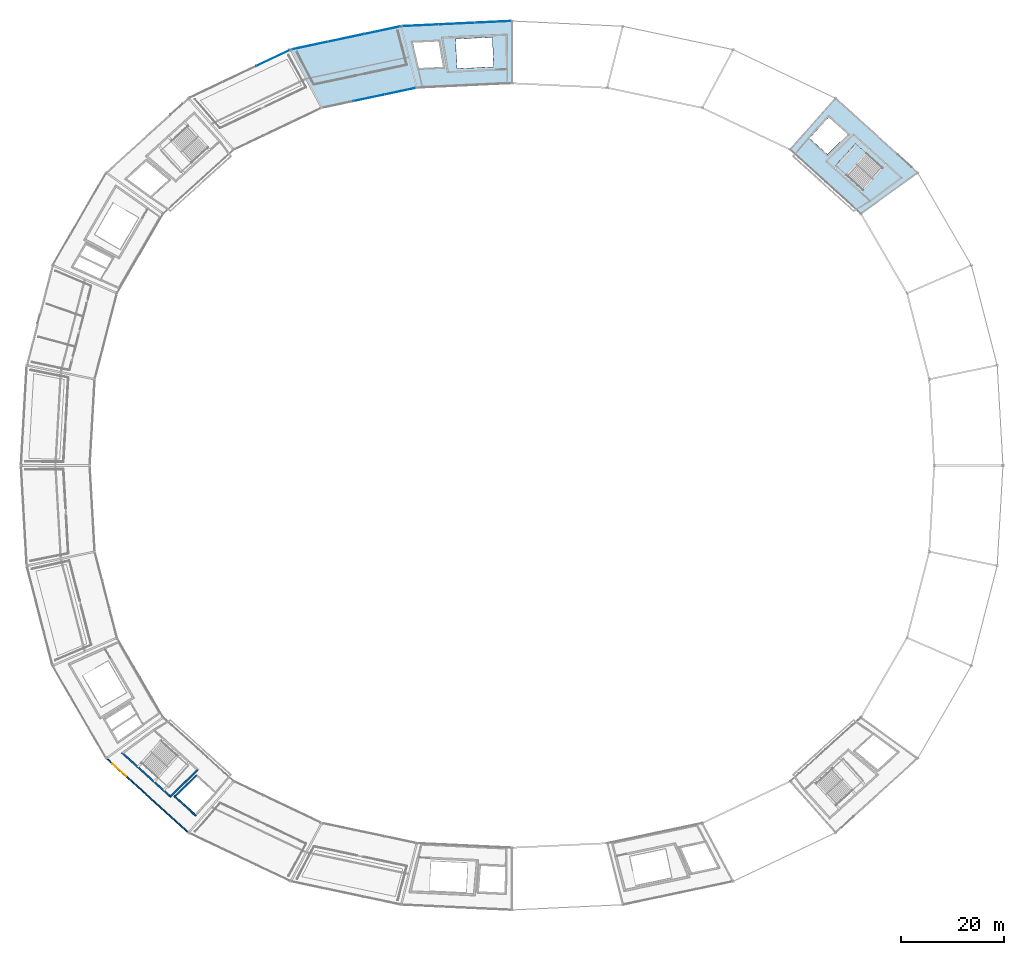
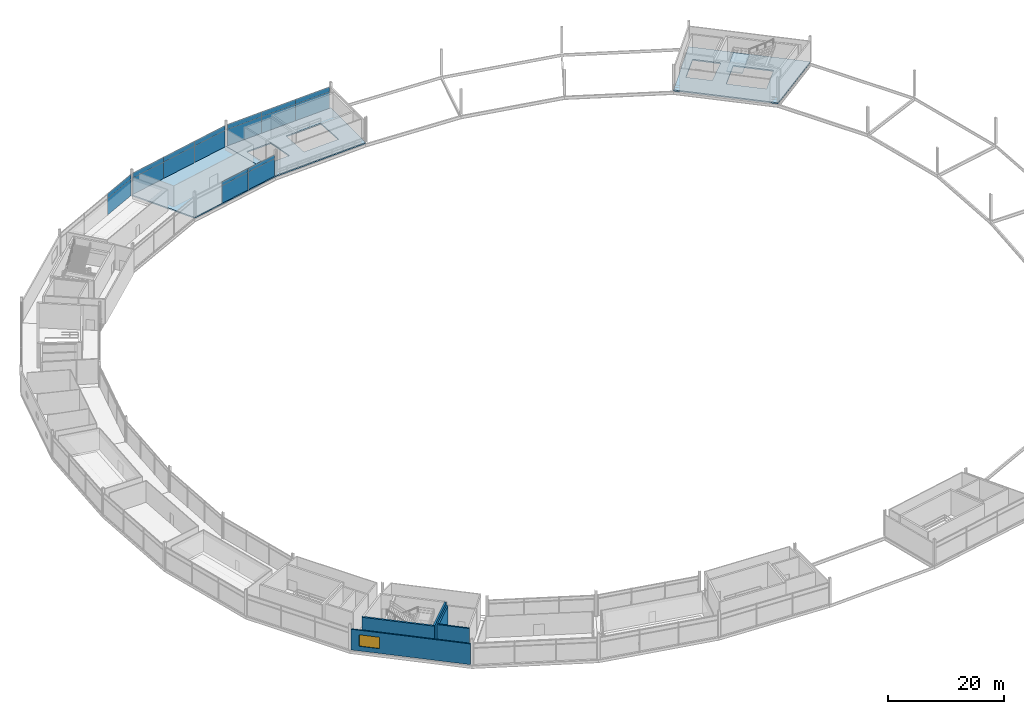
# One storey, part 66 of 86: 18 plates, 5 walls, 4 slabs, 1 window, 1 opening, 5 elements without a shape of their own.
"""IFC4 building model written with IfcOpenShell, lengths in metres."""

import ifcopenshell
import ifcopenshell.guid

model = None  # the IFC model being written
_history = None  # IfcOwnerHistory: only IFC2X3 demands one
_inside = {}  # id of a spatial element -> (the spatial element, [elements in it])
_under = {}  # id of a project, library or spatial element -> (it, [spatial elements below it])
_declared = {}  # id of a project -> (the project, [libraries it declares])
_typed = {}  # id of a type object -> (the type object, [elements of that type])
_made_of = {}  # id of a material, layer set ... -> (it, [elements and type objects made of it])


def new_model(schema):
    """Start an empty IFC model of exactly this schema.

    Asked for "IFC4X3", IfcOpenShell would pick the latest addendum, in which some entities
    have other attributes; the version numbers below select the first issue.
    IFC2X3 requires an IfcOwnerHistory on every rooted entity: one is made here for all.
    """
    global model, _history
    if schema == "IFC4X3":
        model = ifcopenshell.file(schema_version=(4, 3, 0, 0))
    else:
        model = ifcopenshell.file(schema=schema)
    _inside.clear()
    _under.clear()
    _declared.clear()
    _typed.clear()
    _made_of.clear()
    _history = None
    if model.schema == "IFC2X3":
        org = make("IfcOrganization", Name="unknown")
        user = make(
            "IfcPersonAndOrganization",
            ThePerson=make("IfcPerson", FamilyName="unknown"),
            TheOrganization=org,
        )
        app = make(
            "IfcApplication",
            ApplicationDeveloper=org,
            Version="unknown",
            ApplicationFullName="unknown",
            ApplicationIdentifier="unknown",
        )
        _history = make(
            "IfcOwnerHistory",
            OwningUser=user,
            OwningApplication=app,
            ChangeAction="ADDED",
            CreationDate=0,
        )
    return model


def make(cls, **values):
    """One entity of the class cls with the attributes given. An attribute that is None is left unset."""
    return model.create_entity(
        cls, **{name: value for name, value in values.items() if value is not None}
    )


def rooted(cls, **values):
    """An entity with a GlobalId (a new one), such as an element, a storey or a relation."""
    return make(cls, GlobalId=ifcopenshell.guid.new(), OwnerHistory=_history, **values)


def si_unit(unit_type, name, prefix=None):
    """IfcSIUnit, for example si_unit("LENGTHUNIT", "METRE", prefix="MILLI")."""
    return make("IfcSIUnit", UnitType=unit_type, Prefix=prefix, Name=name)


def assignment(units):
    """IfcUnitAssignment: the units of a project."""
    return None if units is None else make("IfcUnitAssignment", Units=units)


def point(xyz):
    """IfcCartesianPoint."""
    return None if xyz is None else make("IfcCartesianPoint", Coordinates=xyz)


def direction(xyz):
    """IfcDirection."""
    return None if xyz is None else make("IfcDirection", DirectionRatios=xyz)


def frame(location, z_axis=None, x_axis=None):
    """IfcAxis2Placement3D, a coordinate frame: its origin and axes. An axis left out is left unset."""
    return make(
        "IfcAxis2Placement3D",
        Location=point(location),
        Axis=direction(z_axis),
        RefDirection=direction(x_axis),
    )


def frame_2d(location, x_axis=None):
    """IfcAxis2Placement2D, a coordinate frame in the plane: its origin and x axis."""
    return make(
        "IfcAxis2Placement2D", Location=point(location), RefDirection=direction(x_axis)
    )


def origin():
    """The frame at (0, 0, 0) with its axes left unset."""
    return frame((0.0, 0.0, 0.0))


def origin_2d():
    """The frame at (0, 0) in the plane with its x axis left unset."""
    return frame_2d((0.0, 0.0))


def place(relative_to, where):
    """IfcLocalPlacement: puts the frame where relative to a parent placement (None: the world)."""
    return make(
        "IfcLocalPlacement", PlacementRelTo=relative_to, RelativePlacement=where
    )


def context(
    kind, dimensions, precision=None, world=None, true_north=None, identifier=None
):
    """IfcGeometricRepresentationContext, for example the 3D "Model" context."""
    return make(
        "IfcGeometricRepresentationContext",
        ContextIdentifier=identifier,
        ContextType=kind,
        CoordinateSpaceDimension=dimensions,
        Precision=precision,
        WorldCoordinateSystem=world,
        TrueNorth=true_north,
    )


def subcontext(parent, identifier, kind, view, scale=None):
    """IfcGeometricRepresentationSubContext, for example "Body" below "Model"."""
    return make(
        "IfcGeometricRepresentationSubContext",
        ContextIdentifier=identifier,
        ContextType=kind,
        ParentContext=parent,
        TargetScale=scale,
        TargetView=view,
    )


def project(units=None, contexts=None):
    """IfcProject with its units and contexts."""
    return rooted(
        "IfcProject",
        Name="project",
        RepresentationContexts=contexts,
        UnitsInContext=assignment(units),
    )


def spatial(cls, under=None, at=None, **own):
    """A site, building, storey or space (cls), placed at a placement, below another one or the project."""
    s = rooted(cls, ObjectPlacement=at, **own)
    if under is not None:
        _under.setdefault(under.id(), (under, []))[1].append(s)
    return s


def polyline(points):
    """IfcPolyline through the points."""
    return make("IfcPolyline", Points=[point(p) for p in points])


def profile(cls, at=None, kind="AREA", **sizes):
    """A parametric profile (cls). Its sizes go by their IFC names, for example OverallWidth=200.0."""
    return make(cls, ProfileType=kind, Position=at, **sizes)


def rectangle(**sizes):
    """IfcRectangleProfileDef."""
    return profile("IfcRectangleProfileDef", **sizes)


def outline(outer, holes=None, kind="AREA"):
    """IfcArbitraryClosedProfileDef: a profile drawn as a closed curve; with holes, ...WithVoids."""
    if holes is None:
        return make("IfcArbitraryClosedProfileDef", ProfileType=kind, OuterCurve=outer)
    return make(
        "IfcArbitraryProfileDefWithVoids",
        ProfileType=kind,
        OuterCurve=outer,
        InnerCurves=holes,
    )


def extrude(swept, where, along, depth):
    """IfcExtrudedAreaSolid: the profile swept, set in the frame where, extruded along a direction by depth."""
    return make(
        "IfcExtrudedAreaSolid",
        SweptArea=swept,
        Position=where,
        ExtrudedDirection=direction(along),
        Depth=depth,
    )


def shape(context_of_items, identifier, shape_type, items):
    """IfcShapeRepresentation: the items that make up one representation, for example the "Body"."""
    return make(
        "IfcShapeRepresentation",
        ContextOfItems=context_of_items,
        RepresentationIdentifier=identifier,
        RepresentationType=shape_type,
        Items=items,
    )


def material(Name=None, Category=None):
    """IfcMaterial."""
    return make("IfcMaterial", Name=Name, Category=Category)


def layer(
    of_material, thickness, ventilated=None, Name=None, Category=None, Priority=None
):
    """IfcMaterialLayer: one layer of a wall or slab, of a material (None: an air gap)."""
    return make(
        "IfcMaterialLayer",
        Material=of_material,
        LayerThickness=thickness,
        IsVentilated=ventilated,
        Name=Name,
        Category=Category,
        Priority=Priority,
    )


def layer_set(layers, Name=None):
    """IfcMaterialLayerSet."""
    return make("IfcMaterialLayerSet", MaterialLayers=layers, LayerSetName=Name)


def made_of(thing, what):
    """Note that an element or type object is made of a material, layer set ...; save() writes the relation."""
    if what is not None:
        _made_of.setdefault(what.id(), (what, []))[1].append(thing)
    return thing


def type_object(cls, material=None, **own):
    """A type object (cls), such as IfcWallType, which elements share."""
    return made_of(rooted(cls, **own), material)


def element(
    cls,
    number,
    at=None,
    inside=None,
    cuts=None,
    type_object=None,
    material=None,
    context=None,
    identifier="Body",
    shape_type=None,
    held_by="IfcProductDefinitionShape",
    body=None,
    shapes=None,
    **own,
):
    """One element of the class cls, such as IfcWall. Its Tag is "e" and its number.

    at: its placement. inside: the storey or other place that contains it. cuts: it is an
    opening in that element (IfcRelVoidsElement). A single representation is given by context,
    identifier, shape_type and body (its items); several are given by shapes. held_by: the class
    of the entity that holds the representations. save() writes the other relations.
    """
    e = rooted(cls, Tag="e%d" % number, ObjectPlacement=at, **own)
    if body is not None:
        shapes = [shape(context, identifier, shape_type, body)]
    if shapes is not None:
        e.Representation = make(held_by, Representations=shapes)
    if inside is not None:
        _inside.setdefault(inside.id(), (inside, []))[1].append(e)
    if cuts is not None:
        rooted(
            "IfcRelVoidsElement", RelatingBuildingElement=cuts, RelatedOpeningElement=e
        )
    if type_object is not None:
        _typed.setdefault(type_object.id(), (type_object, []))[1].append(e)
    return made_of(e, material)


def fill(opening, filler):
    """IfcRelFillsElement: the door or window that sits in an opening."""
    return rooted(
        "IfcRelFillsElement",
        RelatingOpeningElement=opening,
        RelatedBuildingElement=filler,
    )


def aggregate(whole, parts):
    """IfcRelAggregates: a whole, such as a stair, and the parts it consists of."""
    return rooted("IfcRelAggregates", RelatingObject=whole, RelatedObjects=parts)


def save(model, path):
    """Write the relations noted so far, then the file.

    IfcRelAggregates (storeys below a building ...), IfcRelContainedInSpatialStructure (elements
    in a storey), IfcRelDefinesByType, IfcRelAssociatesMaterial and IfcRelDeclares: one each for
    every whole, place, type object, material and project.
    """
    for whole, parts in _under.values():
        aggregate(whole, parts)
    for where, things in _inside.values():
        rooted(
            "IfcRelContainedInSpatialStructure",
            RelatedElements=things,
            RelatingStructure=where,
        )
    for kind, things in _typed.values():
        rooted("IfcRelDefinesByType", RelatedObjects=things, RelatingType=kind)
    for what, things in _made_of.values():
        rooted("IfcRelAssociatesMaterial", RelatedObjects=things, RelatingMaterial=what)
    for by, libraries in _declared.values():
        rooted("IfcRelDeclares", RelatingContext=by, RelatedDefinitions=libraries)
    model.write(path)


model = new_model("IFC4")

# Units and contexts
model_context = context("Model", 3, precision=1e-05, world=origin(), true_north=direction((0.0, 1.0)))
body_context = subcontext(model_context, "Body", "Model", "MODEL_VIEW")
ifc_project = project(units=[si_unit("LENGTHUNIT", "METRE"), si_unit("AREAUNIT", "SQUARE_METRE"), si_unit("VOLUMEUNIT", "CUBIC_METRE"), si_unit("PLANEANGLEUNIT", "RADIAN"), si_unit("MASSUNIT", "GRAM", prefix="KILO")], contexts=[model_context])

# Site, building, storey
site_placement = place(None, origin())
site = spatial("IfcSite", under=ifc_project, at=site_placement, CompositionType="ELEMENT")
building_placement = place(site_placement, origin())
building = spatial("IfcBuilding", under=site, at=building_placement, Name="Kazemori Nagisa Stadium", CompositionType="ELEMENT")
storey_placement = place(building_placement, frame((0.0, 0.0, 31.280029296875)))
storey = spatial("IfcBuildingStorey", under=building, at=storey_placement, Name="L06", CompositionType="ELEMENT", Elevation=31.280029296875)

# Curtain wall, plates
ifc_material_1 = material(Name="Anodised aluminium 6063-T5", Category="aluminium")
ifc_layer_1 = layer(ifc_material_1, 0.239990234375, Name="Anodised aluminium 6063-T5", Category="aluminium")
ifc_layer_set_1 = layer_set([ifc_layer_1], Name="Anodised aluminium 6063-T5")
curtain_wall_type_1 = type_object("IfcCurtainWallType", Name="CW_L06G_91", PredefinedType="USERDEFINED", material=ifc_layer_set_1)
curtain_wall_1_placement = place(storey_placement, origin())
curtain_wall_1 = element("IfcCurtainWall", 1, at=curtain_wall_1_placement, inside=storey, type_object=curtain_wall_type_1, Name="Unitised curtain wall CW-L06G-91 L06", ObjectType="UNITISED CURTAIN WALL", PredefinedType="USERDEFINED")
ifc_material_2 = material(Name="Anodised aluminium spandrel sheet", Category="aluminium")
ifc_layer_2 = layer(ifc_material_2, 0.050048828125, Name="Anodised aluminium spandrel sheet", Category="aluminium")
ifc_layer_set_2 = layer_set([ifc_layer_2], Name="Anodised aluminium spandrel sheet")
plate_type_1 = type_object("IfcPlateType", Name="CWPanel_SPN_L06G_91", PredefinedType="CURTAIN_PANEL", material=ifc_layer_set_2)
plate_1_placement = place(storey_placement, frame((101.322265625, 174.401123046875, 3.6982421875), z_axis=(0.0, 0.0, 1.0), x_axis=(-0.978344955407, -0.206981033502, 0.0)))
plate_1 = element("IfcPlate", 2, at=plate_1_placement, type_object=plate_type_1, Name="Curtain wall spandrel panel CW-L06G-91-S1", PredefinedType="CURTAIN_PANEL", context=body_context, shape_type="SweptSolid", body=[
    extrude(rectangle(XDim=6.049560546875, YDim=0.050048828125, at=origin_2d()), origin(), (0.0, 0.0, 1.0), 0.811767578125),
])
plate_2_placement = place(storey_placement, frame((95.380126953125, 173.14404296875, 3.6982421875), z_axis=(0.0, 0.0, 1.0), x_axis=(-0.978344955407, -0.206981033502, 0.0)))
plate_2 = element("IfcPlate", 3, at=plate_2_placement, type_object=plate_type_1, Name="Curtain wall spandrel panel CW-L06G-91-S2", PredefinedType="CURTAIN_PANEL", context=body_context, shape_type="SweptSolid", body=[
    extrude(rectangle(XDim=6.049560546875, YDim=0.050048828125, at=origin_2d()), origin(), (0.0, 0.0, 1.0), 0.811767578125),
])

ifc_layer_3 = layer(ifc_material_1, 0.239990234375, Name="Anodised aluminium 6063-T5", Category="aluminium")
ifc_layer_set_3 = layer_set([ifc_layer_3], Name="Anodised aluminium 6063-T5")
curtain_wall_type_2 = type_object("IfcCurtainWallType", Name="CW_L06R3_105", PredefinedType="USERDEFINED", material=ifc_layer_set_3)
curtain_wall_2_placement = place(storey_placement, origin())
curtain_wall_2 = element("IfcCurtainWall", 4, at=curtain_wall_2_placement, inside=storey, type_object=curtain_wall_type_2, Name="Unitised curtain wall CW-L06R3-105 L06", ObjectType="UNITISED CURTAIN WALL", PredefinedType="USERDEFINED")
ifc_layer_4 = layer(ifc_material_2, 0.053955078125, Name="Anodised aluminium spandrel sheet", Category="aluminium")
ifc_layer_set_4 = layer_set([ifc_layer_4], Name="Anodised aluminium spandrel sheet")
plate_type_2 = type_object("IfcPlateType", Name="CWPanel_SPN_L06R3_105", PredefinedType="CURTAIN_PANEL", material=ifc_layer_set_4)
plate_3_placement = place(storey_placement, frame((119.272216796875, 187.82373046875, 3.47265625), z_axis=(0.0, 0.0, 1.0), x_axis=(-0.998884022476, -0.047230388971, 0.0)))
plate_3 = element("IfcPlate", 5, at=plate_3_placement, type_object=plate_type_2, Name="Curtain wall spandrel panel CW-L06R3-105-S1", PredefinedType="CURTAIN_PANEL", context=body_context, shape_type="SweptSolid", body=[
    extrude(rectangle(XDim=6.969970703125, YDim=0.053955078125, at=origin_2d()), origin(), (0.0, 0.0, 1.0), 1.037353515625),
])
plate_4_placement = place(storey_placement, frame((112.2861328125, 187.493408203125, 3.47265625), z_axis=(0.0, 0.0, 1.0), x_axis=(-0.998884022476, -0.047230388971, 0.0)))
plate_4 = element("IfcPlate", 6, at=plate_4_placement, type_object=plate_type_2, Name="Curtain wall spandrel panel CW-L06R3-105-S2", PredefinedType="CURTAIN_PANEL", context=body_context, shape_type="SweptSolid", body=[
    extrude(rectangle(XDim=6.969970703125, YDim=0.053955078125, at=origin_2d()), origin(), (0.0, 0.0, 1.0), 1.037353515625),
])
plate_5_placement = place(storey_placement, frame((105.300048828125, 187.1630859375, 3.47265625), z_axis=(0.0, 0.0, 1.0), x_axis=(-0.998884022476, -0.047230388971, 0.0)))
plate_5 = element("IfcPlate", 7, at=plate_5_placement, type_object=plate_type_2, Name="Curtain wall spandrel panel CW-L06R3-105-S3", PredefinedType="CURTAIN_PANEL", context=body_context, shape_type="SweptSolid", body=[
    extrude(rectangle(XDim=6.969970703125, YDim=0.053955078125, at=origin_2d()), origin(), (0.0, 0.0, 1.0), 1.037353515625),
])

ifc_layer_5 = layer(ifc_material_1, 0.239990234375, Name="Anodised aluminium 6063-T5", Category="aluminium")
ifc_layer_set_5 = layer_set([ifc_layer_5], Name="Anodised aluminium 6063-T5")
curtain_wall_type_3 = type_object("IfcCurtainWallType", Name="CW_L06R3_107", PredefinedType="USERDEFINED", material=ifc_layer_set_5)
curtain_wall_3_placement = place(storey_placement, origin())
curtain_wall_3 = element("IfcCurtainWall", 8, at=curtain_wall_3_placement, inside=storey, type_object=curtain_wall_type_3, Name="Unitised curtain wall CW-L06R3-107 L06", ObjectType="UNITISED CURTAIN WALL", PredefinedType="USERDEFINED")
ifc_layer_6 = layer(ifc_material_2, 0.053955078125, Name="Anodised aluminium spandrel sheet", Category="aluminium")
ifc_layer_set_6 = layer_set([ifc_layer_6], Name="Anodised aluminium spandrel sheet")
plate_type_3 = type_object("IfcPlateType", Name="CWPanel_SPN_L06R3_107", PredefinedType="CURTAIN_PANEL", material=ifc_layer_set_6)
plate_6_placement = place(storey_placement, frame((97.856201171875, 186.20068359375, 3.47265625), z_axis=(0.0, 0.0, 1.0), x_axis=(-0.978344955407, -0.206981033502, 0.0)))
plate_6 = element("IfcPlate", 9, at=plate_6_placement, type_object=plate_type_3, Name="Curtain wall spandrel panel CW-L06R3-107-S1", PredefinedType="CURTAIN_PANEL", context=body_context, shape_type="SweptSolid", body=[
    extrude(rectangle(XDim=7.102783203125, YDim=0.053955078125, at=origin_2d()), origin(), (0.0, 0.0, 1.0), 1.037353515625),
])
plate_7_placement = place(storey_placement, frame((90.8837890625, 184.7255859375, 3.47265625), z_axis=(0.0, 0.0, 1.0), x_axis=(-0.978344955407, -0.206981033502, 0.0)))
plate_7 = element("IfcPlate", 10, at=plate_7_placement, type_object=plate_type_3, Name="Curtain wall spandrel panel CW-L06R3-107-S2", PredefinedType="CURTAIN_PANEL", context=body_context, shape_type="SweptSolid", body=[
    extrude(rectangle(XDim=7.102783203125, YDim=0.053955078125, at=origin_2d()), origin(), (0.0, 0.0, 1.0), 1.037353515625),
])
plate_8_placement = place(storey_placement, frame((83.911376953125, 183.25048828125, 3.47265625), z_axis=(0.0, 0.0, 1.0), x_axis=(-0.978344955407, -0.206981033502, 0.0)))
plate_8 = element("IfcPlate", 11, at=plate_8_placement, type_object=plate_type_3, Name="Curtain wall spandrel panel CW-L06R3-107-S3", PredefinedType="CURTAIN_PANEL", context=body_context, shape_type="SweptSolid", body=[
    extrude(rectangle(XDim=7.102783203125, YDim=0.053955078125, at=origin_2d()), origin(), (0.0, 0.0, 1.0), 1.037353515625),
])

# Curtain wall, plate
ifc_layer_7 = layer(ifc_material_1, 0.239990234375, Name="Anodised aluminium 6063-T5", Category="aluminium")
ifc_layer_set_7 = layer_set([ifc_layer_7], Name="Anodised aluminium 6063-T5")
curtain_wall_type_4 = type_object("IfcCurtainWallType", Name="CW_L06R3_108", PredefinedType="USERDEFINED", material=ifc_layer_set_7)
curtain_wall_4_placement = place(storey_placement, origin())
curtain_wall_4 = element("IfcCurtainWall", 12, at=curtain_wall_4_placement, inside=storey, type_object=curtain_wall_type_4, Name="Unitised curtain wall CW-L06R3-108 L06", ObjectType="UNITISED CURTAIN WALL", PredefinedType="USERDEFINED")
ifc_layer_8 = layer(ifc_material_2, 0.053955078125, Name="Anodised aluminium spandrel sheet", Category="aluminium")
ifc_layer_set_8 = layer_set([ifc_layer_8], Name="Anodised aluminium spandrel sheet")
plate_type_4 = type_object("IfcPlateType", Name="CWPanel_SPN_L06R3_108", PredefinedType="CURTAIN_PANEL", material=ifc_layer_set_8)
plate_9_placement = place(storey_placement, frame((76.7548828125, 180.829345703125, 3.47265625), z_axis=(0.0, 0.0, 1.0), x_axis=(-0.903215892654, -0.429186499388, 0.0)))
plate_9 = element("IfcPlate", 13, at=plate_9_placement, type_object=plate_type_4, Name="Curtain wall spandrel panel CW-L06R3-108-S1", PredefinedType="CURTAIN_PANEL", context=body_context, shape_type="SweptSolid", body=[
    extrude(rectangle(XDim=7.1240234375, YDim=0.053955078125, at=origin_2d()), origin(), (0.0, 0.0, 1.0), 1.037353515625),
])

# Plate
ifc_material_3 = material(Name="Low-e laminated double glazing", Category="glass")
ifc_layer_9 = layer(ifc_material_3, 0.0400390625, Name="Low-e laminated double glazing", Category="glass")
ifc_layer_set_9 = layer_set([ifc_layer_9], Name="Low-e laminated double glazing")
plate_type_5 = type_object("IfcPlateType", Name="CWPanel_VIS_L06G_91", PredefinedType="CURTAIN_PANEL", material=ifc_layer_set_9)
plate_10_placement = place(storey_placement, frame((101.322265625, 174.401123046875, 0.0), z_axis=(0.0, 0.0, 1.0), x_axis=(-0.978344955407, -0.206981033502, 0.0)))
plate_10 = element("IfcPlate", 14, at=plate_10_placement, type_object=plate_type_5, Name="Curtain wall vision panel CW-L06G-91-V1", PredefinedType="CURTAIN_PANEL", context=body_context, shape_type="SweptSolid", body=[
    extrude(rectangle(XDim=6.049560546875, YDim=0.0400390625, at=origin_2d()), origin(), (0.0, 0.0, 1.0), 3.6982421875),
])

plate_11_placement = place(storey_placement, frame((95.380126953125, 173.14404296875, 0.0), z_axis=(0.0, 0.0, 1.0), x_axis=(-0.978344955407, -0.206981033502, 0.0)))
plate_11 = element("IfcPlate", 15, at=plate_11_placement, type_object=plate_type_5, Name="Curtain wall vision panel CW-L06G-91-V2", PredefinedType="CURTAIN_PANEL", context=body_context, shape_type="SweptSolid", body=[
    extrude(rectangle(XDim=6.049560546875, YDim=0.0400390625, at=origin_2d()), origin(), (0.0, 0.0, 1.0), 3.6982421875),
])

aggregate(curtain_wall_1, [plate_10, plate_1, plate_11, plate_2])

ifc_layer_10 = layer(ifc_material_3, 0.0380859375, Name="Low-e laminated double glazing", Category="glass")
ifc_layer_set_10 = layer_set([ifc_layer_10], Name="Low-e laminated double glazing")
plate_type_6 = type_object("IfcPlateType", Name="CWPanel_VIS_L06R3_105", PredefinedType="CURTAIN_PANEL", material=ifc_layer_set_10)
plate_12_placement = place(storey_placement, frame((119.272216796875, 187.82373046875, 0.0), z_axis=(0.0, 0.0, 1.0), x_axis=(-0.998884022476, -0.047230388971, 0.0)))
plate_12 = element("IfcPlate", 16, at=plate_12_placement, type_object=plate_type_6, Name="Curtain wall vision panel CW-L06R3-105-V1", PredefinedType="CURTAIN_PANEL", context=body_context, shape_type="SweptSolid", body=[
    extrude(rectangle(XDim=6.969970703125, YDim=0.0380859375, at=origin_2d()), origin(), (0.0, 0.0, 1.0), 3.47265625),
])

plate_13_placement = place(storey_placement, frame((112.2861328125, 187.493408203125, 0.0), z_axis=(0.0, 0.0, 1.0), x_axis=(-0.998884022476, -0.047230388971, 0.0)))
plate_13 = element("IfcPlate", 17, at=plate_13_placement, type_object=plate_type_6, Name="Curtain wall vision panel CW-L06R3-105-V2", PredefinedType="CURTAIN_PANEL", context=body_context, shape_type="SweptSolid", body=[
    extrude(rectangle(XDim=6.969970703125, YDim=0.0380859375, at=origin_2d()), origin(), (0.0, 0.0, 1.0), 3.47265625),
])

plate_14_placement = place(storey_placement, frame((105.300048828125, 187.1630859375, 0.0), z_axis=(0.0, 0.0, 1.0), x_axis=(-0.998884022476, -0.047230388971, 0.0)))
plate_14 = element("IfcPlate", 18, at=plate_14_placement, type_object=plate_type_6, Name="Curtain wall vision panel CW-L06R3-105-V3", PredefinedType="CURTAIN_PANEL", context=body_context, shape_type="SweptSolid", body=[
    extrude(rectangle(XDim=6.969970703125, YDim=0.0380859375, at=origin_2d()), origin(), (0.0, 0.0, 1.0), 3.47265625),
])

aggregate(curtain_wall_2, [plate_12, plate_3, plate_13, plate_4, plate_14, plate_5])

ifc_layer_11 = layer(ifc_material_3, 0.0380859375, Name="Low-e laminated double glazing", Category="glass")
ifc_layer_set_11 = layer_set([ifc_layer_11], Name="Low-e laminated double glazing")
plate_type_7 = type_object("IfcPlateType", Name="CWPanel_VIS_L06R3_107", PredefinedType="CURTAIN_PANEL", material=ifc_layer_set_11)
plate_15_placement = place(storey_placement, frame((97.856201171875, 186.20068359375, 0.0), z_axis=(0.0, 0.0, 1.0), x_axis=(-0.978344955407, -0.206981033502, 0.0)))
plate_15 = element("IfcPlate", 19, at=plate_15_placement, type_object=plate_type_7, Name="Curtain wall vision panel CW-L06R3-107-V1", PredefinedType="CURTAIN_PANEL", context=body_context, shape_type="SweptSolid", body=[
    extrude(rectangle(XDim=7.102783203125, YDim=0.0380859375, at=origin_2d()), origin(), (0.0, 0.0, 1.0), 3.47265625),
])

plate_16_placement = place(storey_placement, frame((90.8837890625, 184.7255859375, 0.0), z_axis=(0.0, 0.0, 1.0), x_axis=(-0.978344955407, -0.206981033502, 0.0)))
plate_16 = element("IfcPlate", 20, at=plate_16_placement, type_object=plate_type_7, Name="Curtain wall vision panel CW-L06R3-107-V2", PredefinedType="CURTAIN_PANEL", context=body_context, shape_type="SweptSolid", body=[
    extrude(rectangle(XDim=7.102783203125, YDim=0.0380859375, at=origin_2d()), origin(), (0.0, 0.0, 1.0), 3.47265625),
])

plate_17_placement = place(storey_placement, frame((83.911376953125, 183.25048828125, 0.0), z_axis=(0.0, 0.0, 1.0), x_axis=(-0.978344955407, -0.206981033502, 0.0)))
plate_17 = element("IfcPlate", 21, at=plate_17_placement, type_object=plate_type_7, Name="Curtain wall vision panel CW-L06R3-107-V3", PredefinedType="CURTAIN_PANEL", context=body_context, shape_type="SweptSolid", body=[
    extrude(rectangle(XDim=7.102783203125, YDim=0.0380859375, at=origin_2d()), origin(), (0.0, 0.0, 1.0), 3.47265625),
])

aggregate(curtain_wall_3, [plate_15, plate_6, plate_16, plate_7, plate_17, plate_8])

ifc_layer_12 = layer(ifc_material_3, 0.0380859375, Name="Low-e laminated double glazing", Category="glass")
ifc_layer_set_12 = layer_set([ifc_layer_12], Name="Low-e laminated double glazing")
plate_type_8 = type_object("IfcPlateType", Name="CWPanel_VIS_L06R3_108", PredefinedType="CURTAIN_PANEL", material=ifc_layer_set_12)
plate_18_placement = place(storey_placement, frame((76.7548828125, 180.829345703125, 0.0), z_axis=(0.0, 0.0, 1.0), x_axis=(-0.903215892654, -0.429186499388, 0.0)))
plate_18 = element("IfcPlate", 22, at=plate_18_placement, type_object=plate_type_8, Name="Curtain wall vision panel CW-L06R3-108-V1", PredefinedType="CURTAIN_PANEL", context=body_context, shape_type="SweptSolid", body=[
    extrude(rectangle(XDim=7.1240234375, YDim=0.0380859375, at=origin_2d()), origin(), (0.0, 0.0, 1.0), 3.47265625),
])

aggregate(curtain_wall_4, [plate_18, plate_9])

# Stair, slab
ifc_material_4 = material(Name="Concrete C36/45 (Fc36)", Category="concrete")
stair_type = type_object("IfcStairType", Name="Stair_CORE_32", PredefinedType="TWO_STRAIGHT_RUN_STAIR", material=ifc_material_4)
stair_placement = place(storey_placement, origin())
stair = element("IfcStair", 23, at=stair_placement, inside=storey, type_object=stair_type, Name="Exit stair ST01 L06", PredefinedType="TWO_STRAIGHT_RUN_STAIR")
ifc_layer_13 = layer(ifc_material_4, 0.199951171875, Name="Concrete C36/45 (Fc36)", Category="concrete")
ifc_layer_set_13 = layer_set([ifc_layer_13], Name="Concrete C36/45 (Fc36)")
slab_type_1 = type_object("IfcSlabType", Name="Slab_SL-LND-200", PredefinedType="LANDING", material=ifc_layer_set_13)
slab_1_placement = place(storey_placement, frame((0.0, 0.0, 2.52001953125)))
slab_1 = element("IfcSlab", 24, at=slab_1_placement, type_object=slab_type_1, Name="Exit stair ST01 L06 mid-landing", PredefinedType="LANDING", context=body_context, shape_type="SweptSolid", body=[
    extrude(outline(polyline([(187.729248046875, 158.18310546875), (185.616455078125, 160.095947265625), (189.44189453125, 164.321533203125), (191.5546875, 162.408935546875), (187.729248046875, 158.18310546875)])), origin(), (0.0, 0.0, 1.0), 0.199951171875),
])
aggregate(stair, [slab_1])

# Slabs
ifc_layer_14 = layer(ifc_material_4, 0.260009765625, Name="Concrete C36/45 (Fc36)", Category="concrete")
ifc_layer_set_14 = layer_set([ifc_layer_14], Name="Concrete C36/45 (Fc36)")
slab_type_2 = type_object("IfcSlabType", Name="Slab_SL-MEDIA-260", PredefinedType="FLOOR", material=ifc_layer_set_14)
slab_2_placement = place(storey_placement, frame((0.0, 0.0, -0.260009765625)))
element("IfcSlab", 25, at=slab_2_placement, inside=storey, type_object=slab_type_2, Name="Concourse floor slab L06 bay 04", PredefinedType="FLOOR", context=body_context, shape_type="SweptSolid", body=[
    extrude(outline(polyline([(190.506103515625, 150.734130859375), (176.834228515625, 163.11083984375), (185.597900390625, 173.05908203125), (201.495361328125, 158.667724609375), (190.506103515625, 150.734130859375)]), holes=[polyline([(190.87646484375, 155.334228515625), (185.616455078125, 160.095947265625), (189.44189453125, 164.321533203125), (194.70166015625, 159.56005859375), (190.87646484375, 155.334228515625)]), polyline([(184.043701171875, 162.204345703125), (180.594482421875, 165.32666015625), (184.289794921875, 169.3896484375), (187.960205078125, 166.06689453125), (184.043701171875, 162.204345703125)])]), origin(), (0.0, 0.0, 1.0), 0.260009765625),
])
slab_3_placement = place(storey_placement, frame((0.0, 0.0, -0.260009765625)))
element("IfcSlab", 26, at=slab_3_placement, inside=storey, type_object=slab_type_2, Name="Concourse floor slab L06 bay 08", PredefinedType="FLOOR", context=body_context, shape_type="SweptSolid", body=[
    extrude(outline(polyline([(123.0, 175.9599609375), (104.572265625, 175.088623046875), (101.572265625, 186.98681640625), (123.0, 188.0), (123.0, 175.9599609375)]), holes=[polyline([(119.452392578125, 179.138427734375), (112.365234375, 178.803466796875), (112.09619140625, 184.4970703125), (119.18310546875, 184.832275390625), (119.452392578125, 179.138427734375)]), polyline([(109.63427734375, 179.112060546875), (104.9853515625, 178.89208984375), (103.82958984375, 183.825439453125), (108.77685546875, 184.0595703125), (109.63427734375, 179.112060546875)])]), origin(), (0.0, 0.0, 1.0), 0.260009765625),
])
slab_4_placement = place(storey_placement, frame((0.0, 0.0, -0.260009765625)))
element("IfcSlab", 27, at=slab_4_placement, inside=storey, type_object=slab_type_2, Name="Concourse floor slab L06 bay 09", PredefinedType="FLOOR", context=body_context, shape_type="SweptSolid", body=[
    extrude(outline(polyline([(104.572265625, 175.088623046875), (86.18798828125, 171.19921875), (80.1953125, 182.46435546875), (101.572265625, 186.98681640625), (104.572265625, 175.088623046875)])), origin(), (0.0, 0.0, 1.0), 0.260009765625),
])

# Walls
ifc_material_5 = material(Name="Concrete C40/50 (Fc42)", Category="concrete")
ifc_layer_15 = layer(ifc_material_5, 0.35009765625, Name="Concrete C40/50 (Fc42)", Category="concrete")
ifc_layer_set_15 = layer_set([ifc_layer_15], Name="Concrete C40/50 (Fc42)")
wall_type_1 = type_object("IfcWallType", Name="Wall_W-CORE-350", PredefinedType="SHEAR", material=ifc_layer_set_15)
wall_1_placement = place(storey_placement, frame((47.500732421875, 46.451904296875, 0.0), z_axis=(0.0, 0.0, 1.0), x_axis=(0.741351373721, -0.671117084183, 0.0)))
element("IfcWall", 28, at=wall_1_placement, inside=storey, type_object=wall_type_1, Name="Core stair rear shear wall ST03 L06", PredefinedType="SHEAR", context=body_context, shape_type="SweptSolid", body=[
    extrude(rectangle(XDim=12.830322265625, YDim=0.35009765625, at=frame_2d((6.4150390625, 0.0))), origin(), (0.0, 0.0, 1.0), 5.159912109375),
])
wall_2_placement = place(storey_placement, frame((62.199462890625, 43.1083984375, 0.0), z_axis=(0.0, 0.0, 1.0), x_axis=(-0.718297398554, -0.69573619083, 0.0)))
element("IfcWall", 29, at=wall_2_placement, inside=storey, type_object=wall_type_1, Name="Core stair right shear wall ST03 L06", PredefinedType="SHEAR", context=body_context, shape_type="SweptSolid", body=[
    extrude(rectangle(XDim=7.40185546875, YDim=0.35009765625, at=frame_2d((3.700927734375, 0.0))), origin(), (0.0, 0.0, 1.0), 5.159912109375),
])

# Wall, opening, window
ifc_material_6 = material(Name="Steel S355 (SN490B)", Category="steel")
ifc_layer_16 = layer(ifc_material_6, 0.239990234375, Name="Steel S355 (SN490B)", Category="steel")
ifc_layer_set_16 = layer_set([ifc_layer_16], Name="Steel S355 (SN490B)")
wall_type_2 = type_object("IfcWallType", Name="Wall_W-EXT-240", PredefinedType="SOLIDWALL", material=ifc_layer_set_16)
wall_3_placement = place(storey_placement, frame((44.65283203125, 45.1982421875, 0.0), z_axis=(0.0, 0.0, 1.0), x_axis=(0.74134637924, -0.671122601309, 0.0)))
wall_3 = element("IfcWall", 30, at=wall_3_placement, inside=storey, type_object=wall_type_2, Name="Exterior facade wall L06-18", PredefinedType="SOLIDWALL", context=body_context, shape_type="SweptSolid", body=[
    extrude(rectangle(XDim=21.0439453125, YDim=0.239990234375, at=frame_2d((10.52197265625, 0.0))), origin(), (0.0, 0.0, 1.0), 4.35791015625),
])
opening_placement = place(wall_3_placement, frame((1.39990234375, 0.0, 1.0)))
opening = element("IfcOpeningElement", 31, at=opening_placement, cuts=wall_3, Name="Opening WIN-L06-3600", PredefinedType="OPENING", context=body_context, shape_type="SweptSolid", body=[
    extrude(rectangle(XDim=3.60009765625, YDim=2.39990234375, at=frame_2d((1.800048828125, 1.199951171875))), frame((0.0, 0.1298828125, 0.0), z_axis=(0.0, -1.0, 0.0), x_axis=(1.0, 0.0, 0.0)), (0.0, 0.0, 1.0), 0.260009765625),
])
window_type = type_object("IfcWindowType", Name="Window_WIN-L06-3600", PartitioningType="SINGLE_PANEL", PredefinedType="WINDOW", material=ifc_material_3)
window_placement = place(opening_placement, origin())
window = element("IfcWindow", 32, at=window_placement, inside=storey, type_object=window_type, Name="Core lobby window L06-18", OverallHeight=2.39990234375, OverallWidth=3.60009765625, PartitioningType="SINGLE_PANEL", PredefinedType="WINDOW", context=body_context, shape_type="SweptSolid", body=[
    extrude(rectangle(XDim=3.60009765625, YDim=2.39990234375, at=frame_2d((1.800048828125, 1.199951171875))), frame((0.0, 0.030029296875, 0.0), z_axis=(0.0, -1.0, 0.0), x_axis=(1.0, 0.0, 0.0)), (0.0, 0.0, 1.0), 0.06005859375),
])
fill(opening, window)

# Walls
ifc_layer_17 = layer(ifc_material_5, 0.300048828125, Name="Concrete C40/50 (Fc42)", Category="concrete")
ifc_layer_set_17 = layer_set([ifc_layer_17], Name="Concrete C40/50 (Fc42)")
wall_type_3 = type_object("IfcWallType", Name="Wall_W-SHAFT-300", PredefinedType="SHEAR", material=ifc_layer_set_17)
wall_4_placement = place(storey_placement, frame((57.640380859375, 38.039306640625, 0.0), z_axis=(0.0, 0.0, 1.0), x_axis=(0.74134208775, -0.671127341815, 0.0)))
element("IfcWall", 33, at=wall_4_placement, inside=storey, type_object=wall_type_3, Name="Lift shaft B wall FL3 L06", PredefinedType="SHEAR", context=body_context, shape_type="SweptSolid", body=[
    extrude(rectangle(XDim=5.674560546875, YDim=0.300048828125, at=frame_2d((2.83740234375, 0.0))), origin(), (0.0, 0.0, 1.0), 5.159912109375),
])
wall_5_placement = place(storey_placement, frame((61.947998046875, 42.058837890625, 0.0), z_axis=(0.0, 0.0, 1.0), x_axis=(-0.713553028001, -0.700601224828, 0.0)))
element("IfcWall", 34, at=wall_5_placement, inside=storey, type_object=wall_type_3, Name="Lift shaft L wall FL3 L06", PredefinedType="SHEAR", context=body_context, shape_type="SweptSolid", body=[
    extrude(rectangle(XDim=5.881103515625, YDim=0.300048828125, at=frame_2d((2.9404296875, 0.0))), origin(), (0.0, 0.0, 1.0), 5.159912109375),
])

save(model, "model.ifc")
